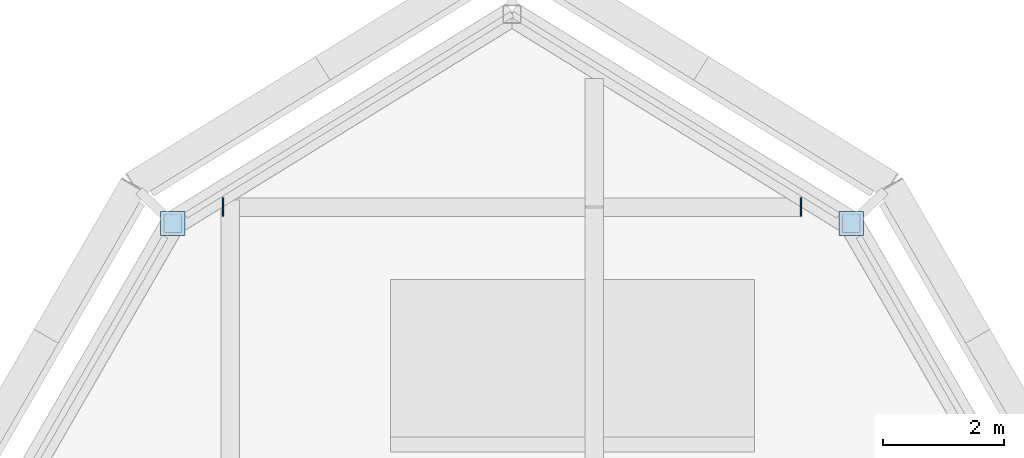
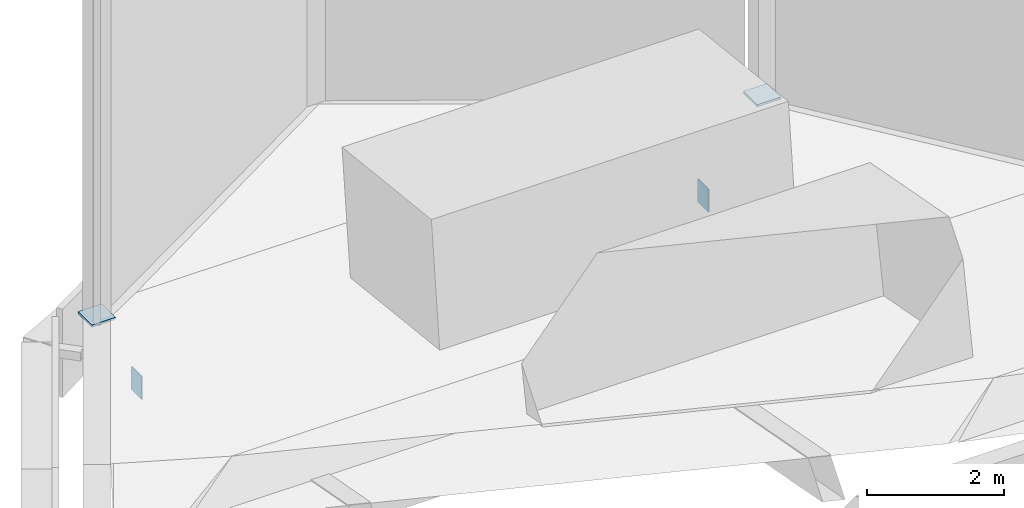
# One storey, part 11 of 13: 4 plates.
"""IFC4 building model written with IfcOpenShell, lengths in metres."""

from ifc_helpers import new_model, si_unit, direction, frame, origin, origin_2d, place, context, subcontext, project, spatial, rectangle, extrude, material, layer, layer_set, type_object, element, save


model = new_model("IFC4")

# Units and contexts
model_context = context("Model", 3, precision=1e-05, world=origin(), true_north=direction((0.0, 1.0)))
body_context = subcontext(model_context, "Body", "Model", "MODEL_VIEW")
ifc_project = project(units=[si_unit("LENGTHUNIT", "METRE"), si_unit("AREAUNIT", "SQUARE_METRE"), si_unit("VOLUMEUNIT", "CUBIC_METRE"), si_unit("PLANEANGLEUNIT", "RADIAN"), si_unit("MASSUNIT", "GRAM", prefix="KILO")], contexts=[model_context])

# Site, building, storey
site_placement = place(None, origin())
site = spatial("IfcSite", under=ifc_project, at=site_placement, CompositionType="ELEMENT")
building_placement = place(site_placement, origin())
building = spatial("IfcBuilding", under=site, at=building_placement, Name="Firuza Gate Tower and Library", CompositionType="ELEMENT")
storey_placement = place(building_placement, frame((0.0, 0.0, 358.0)))
storey = spatial("IfcBuildingStorey", under=building, at=storey_placement, Name="Upper roof", CompositionType="ELEMENT", Elevation=358.0)

# Plates
ifc_material_1 = material(Name="Steel S355", Category="steel")
ifc_layer_1 = layer(ifc_material_1, 0.0400390625)
ifc_layer_set_1 = layer_set([ifc_layer_1], Name="Finial mast base plate")
plate_type_1 = type_object("IfcPlateType", Name="Finial mast base plate", PredefinedType="SHEET", material=ifc_layer_set_1)
for number, where, z_axis, x_axis, name in (
    (1, (80.592041015625, 94.2294921875, 1.204345703125), (0.0, 0.0, 1.0), (1.0, 0.0, 0.0), "Finial mast base plate 15"),
    (2, (69.407958984375, 94.2294921875, 1.204345703125), (0.0, 0.0, 1.0), (1.0, 0.0, 0.0), "Finial mast base plate 17"),
):
    element("IfcPlate", number, at=place(storey_placement, frame(where, z_axis=z_axis, x_axis=x_axis)), inside=storey, type_object=plate_type_1, Name=name, PredefinedType="SHEET", context=body_context, shape_type="SweptSolid", body=[
        extrude(rectangle(XDim=0.39990234375, YDim=0.39990234375, at=origin_2d()), origin(), (0.0, 0.0, 1.0), 0.0400390625),
    ])
ifc_material_2 = material(Name="Steel S355", Category="steel")
ifc_layer_2 = layer(ifc_material_2, 0.02001953125)
ifc_layer_set_2 = layer_set([ifc_layer_2], Name="Roof arc girder end plate")
plate_type_2 = type_object("IfcPlateType", Name="Roof arc girder end plate", PredefinedType="SHEET", material=ifc_layer_set_2)
for number, where, z_axis, x_axis, name in (
    (3, (70.237548828125, 94.5, -0.63232421875), (0.0, 0.0, 1.0), (1.0, 0.0, 0.0), "Roof arc girder end plate 8.1"),
    (4, (79.762451171875, 94.5, -0.63232421875), (0.0, 0.0, 1.0), (1.0, 0.0, 0.0), "Roof arc girder end plate 8.2"),
):
    element("IfcPlate", number, at=place(storey_placement, frame(where, z_axis=z_axis, x_axis=x_axis)), inside=storey, type_object=plate_type_2, Name=name, PredefinedType="SHEET", context=body_context, shape_type="SweptSolid", body=[
        extrude(rectangle(XDim=0.02001953125, YDim=0.3046875, at=origin_2d()), origin(), (0.0, 0.0, 1.0), 0.406494140625),
    ])

save(model, "model.ifc")
